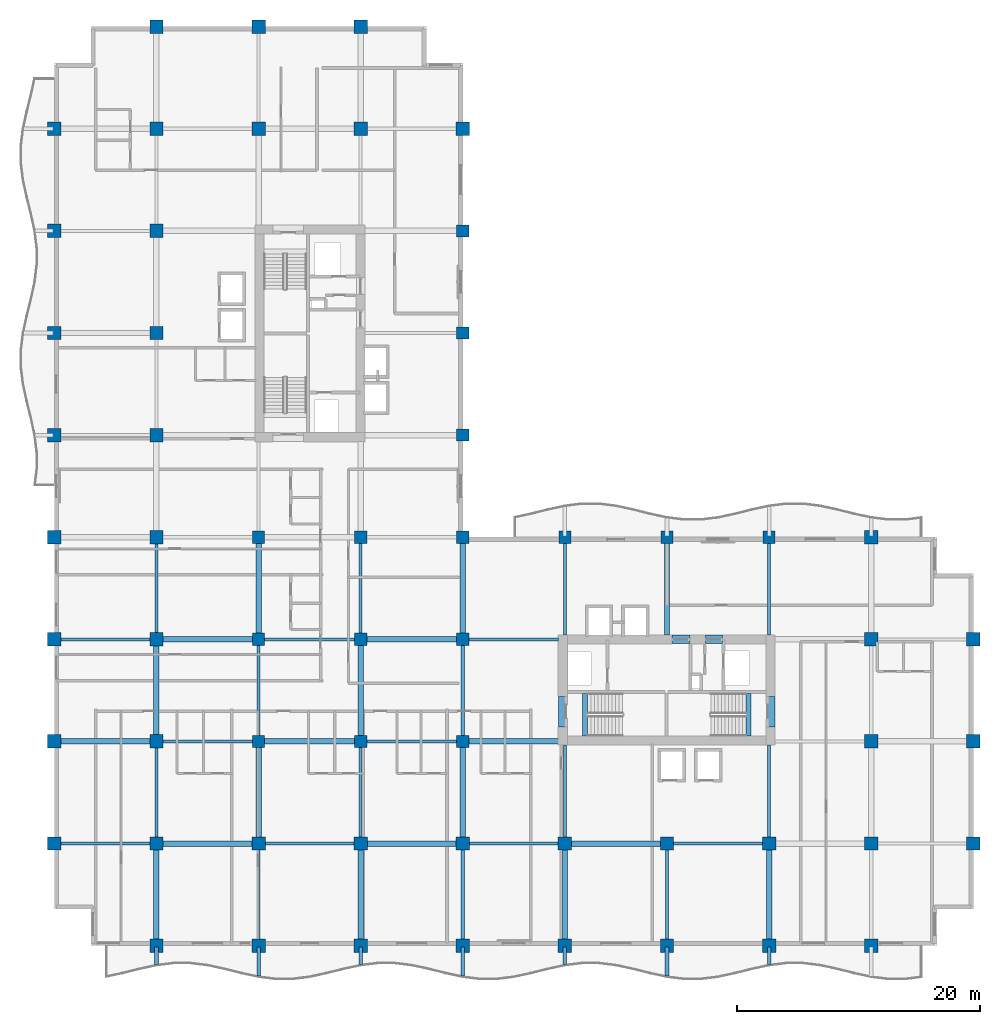
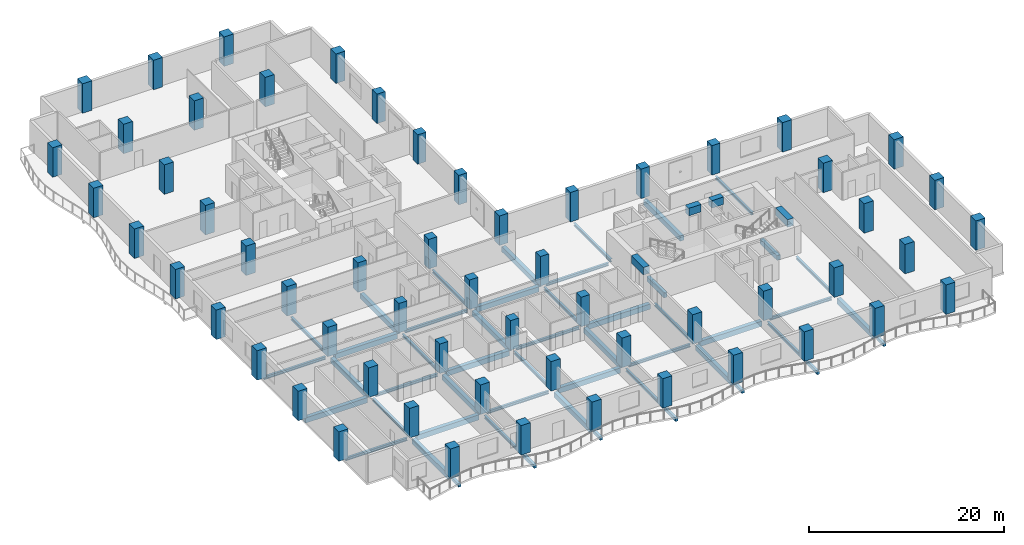
# One storey, part 1 of 16: 58 columns, 54 beams.
"""IFC4 building model written with IfcOpenShell, lengths in metres."""

from ifc_helpers import new_model, si_unit, direction, frame, origin, origin_2d, place, context, subcontext, project, spatial, rectangle, i_section, extrude, material, material_profile, profile_set, type_object, element, save


model = new_model("IFC4")

# Units and contexts
model_context = context("Model", 3, precision=1e-05, world=origin(), true_north=direction((0.0, 1.0)))
body_context = subcontext(model_context, "Body", "Model", "MODEL_VIEW")
ifc_project = project(units=[si_unit("LENGTHUNIT", "METRE"), si_unit("AREAUNIT", "SQUARE_METRE"), si_unit("VOLUMEUNIT", "CUBIC_METRE"), si_unit("PLANEANGLEUNIT", "RADIAN"), si_unit("MASSUNIT", "GRAM", prefix="KILO")], contexts=[model_context])

# Site, building, storey
site_placement = place(None, origin())
site = spatial("IfcSite", under=ifc_project, at=site_placement, CompositionType="ELEMENT")
building_placement = place(site_placement, origin())
building = spatial("IfcBuilding", under=site, at=building_placement, Name="Koriwani Terraces Tower", CompositionType="ELEMENT")
storey_placement = place(building_placement, frame((0.0, 0.0, 186.5)))
storey = spatial("IfcBuildingStorey", under=building, at=storey_placement, Name="L45", CompositionType="ELEMENT", Elevation=186.5)

# Columns
ifc_material_1 = material(Name="Concrete C50/60", Category="concrete")
ifc_material_profile_1 = material_profile(ifc_material_1, rectangle(XDim=1.0, YDim=1.0, at=origin_2d()), Name="Concrete C50/60", Category="LoadBearing")
ifc_profile_set_1 = profile_set([ifc_material_profile_1], Name="Concrete C50/60")
column_type_1 = type_object("IfcColumnType", Name="COL_RC_1000X1000", PredefinedType="COLUMN", material=ifc_profile_set_1)
for number, where, z_axis, x_axis, name in (
    (1, (16.800048828125, 16.800048828125, 0.0), (0.0, 0.0, 1.0), (1.0, 0.0, 0.0), "L45 Column 3/C"),
    (2, (16.800048828125, 25.199951171875, 0.0), (0.0, 0.0, 1.0), (1.0, 0.0, 0.0), "L45 Column 3/D"),
    (3, (16.800048828125, 33.60009765625, 0.0), (0.0, 0.0, 1.0), (1.0, 0.0, 0.0), "L45 Column 3/E"),
    (4, (25.199951171875, 16.800048828125, 0.0), (0.0, 0.0, 1.0), (1.0, 0.0, 0.0), "L45 Column 4/C"),
    (5, (25.199951171875, 25.199951171875, 0.0), (0.0, 0.0, 1.0), (1.0, 0.0, 0.0), "L45 Column 4/D"),
    (6, (25.199951171875, 33.60009765625, 0.0), (0.0, 0.0, 1.0), (1.0, 0.0, 0.0), "L45 Column 4/E"),
    (7, (33.60009765625, 16.800048828125, 0.0), (0.0, 0.0, 1.0), (1.0, 0.0, 0.0), "L45 Column 5/C"),
    (8, (33.60009765625, 25.199951171875, 0.0), (0.0, 0.0, 1.0), (1.0, 0.0, 0.0), "L45 Column 5/D"),
    (9, (33.60009765625, 33.60009765625, 0.0), (0.0, 0.0, 1.0), (1.0, 0.0, 0.0), "L45 Column 5/E"),
    (10, (33.60009765625, 42.0, 0.0), (0.0, 0.0, 1.0), (1.0, 0.0, 0.0), "L45 Column 5/F"),
    (11, (33.60009765625, 50.39990234375, 0.0), (0.0, 0.0, 1.0), (1.0, 0.0, 0.0), "L45 Column 5/G"),
    (12, (33.60009765625, 58.800048828125, 0.0), (0.0, 0.0, 1.0), (1.0, 0.0, 0.0), "L45 Column 5/H"),
    (13, (42.0, 33.60009765625, 0.0), (0.0, 0.0, 1.0), (1.0, 0.0, 0.0), "L45 Column 6/E"),
    (14, (50.39990234375, 33.60009765625, 0.0), (0.0, 0.0, 1.0), (1.0, 0.0, 0.0), "L45 Column 7/E"),
    (15, (58.800048828125, 33.60009765625, 0.0), (0.0, 0.0, 1.0), (1.0, 0.0, 0.0), "L45 Column 8/E"),
):
    element("IfcColumn", number, at=place(storey_placement, frame(where, z_axis=z_axis, x_axis=x_axis)), inside=storey, type_object=column_type_1, Name=name, PredefinedType="COLUMN", context=body_context, shape_type="SweptSolid", body=[
        extrude(rectangle(XDim=1.0, YDim=1.0, at=origin_2d()), origin(), (0.0, 0.0, 1.0), 3.699951171875),
    ])
ifc_material_profile_2 = material_profile(ifc_material_1, rectangle(XDim=1.10009765625, YDim=1.10009765625, at=origin_2d()), Name="Concrete C50/60", Category="LoadBearing")
ifc_profile_set_2 = profile_set([ifc_material_profile_2], Name="Concrete C50/60")
column_type_2 = type_object("IfcColumnType", Name="COL_RC_1100X1100", PredefinedType="COLUMN", material=ifc_profile_set_2)
for number, where, z_axis, x_axis, name in (
    (16, (0.0, 8.39990234375, 0.0), (0.0, 0.0, 1.0), (1.0, 0.0, 0.0), "L45 Column 1/B"),
    (17, (0.0, 16.800048828125, 0.0), (0.0, 0.0, 1.0), (1.0, 0.0, 0.0), "L45 Column 1/C"),
    (18, (0.0, 25.199951171875, 0.0), (0.0, 0.0, 1.0), (1.0, 0.0, 0.0), "L45 Column 1/D"),
    (19, (0.0, 33.60009765625, 0.0), (0.0, 0.0, 1.0), (1.0, 0.0, 0.0), "L45 Column 1/E"),
    (20, (0.0, 42.0, 0.0), (0.0, 0.0, 1.0), (1.0, 0.0, 0.0), "L45 Column 1/F"),
    (21, (0.0, 50.39990234375, 0.0), (0.0, 0.0, 1.0), (1.0, 0.0, 0.0), "L45 Column 1/G"),
    (22, (0.0, 58.800048828125, 0.0), (0.0, 0.0, 1.0), (1.0, 0.0, 0.0), "L45 Column 1/H"),
    (23, (0.0, 67.199951171875, 0.0), (0.0, 0.0, 1.0), (1.0, 0.0, 0.0), "L45 Column 1/I"),
    (24, (8.39990234375, 0.0, 0.0), (0.0, 0.0, 1.0), (1.0, 0.0, 0.0), "L45 Column 2/A"),
    (25, (8.39990234375, 8.39990234375, 0.0), (0.0, 0.0, 1.0), (1.0, 0.0, 0.0), "L45 Column 2/B"),
    (26, (8.39990234375, 16.800048828125, 0.0), (0.0, 0.0, 1.0), (1.0, 0.0, 0.0), "L45 Column 2/C"),
    (27, (8.39990234375, 25.199951171875, 0.0), (0.0, 0.0, 1.0), (1.0, 0.0, 0.0), "L45 Column 2/D"),
    (28, (8.39990234375, 33.60009765625, 0.0), (0.0, 0.0, 1.0), (1.0, 0.0, 0.0), "L45 Column 2/E"),
    (29, (8.39990234375, 42.0, 0.0), (0.0, 0.0, 1.0), (1.0, 0.0, 0.0), "L45 Column 2/F"),
    (30, (8.39990234375, 50.39990234375, 0.0), (0.0, 0.0, 1.0), (1.0, 0.0, 0.0), "L45 Column 2/G"),
    (31, (8.39990234375, 58.800048828125, 0.0), (0.0, 0.0, 1.0), (1.0, 0.0, 0.0), "L45 Column 2/H"),
    (32, (8.39990234375, 67.199951171875, 0.0), (0.0, 0.0, 1.0), (1.0, 0.0, 0.0), "L45 Column 2/I"),
    (33, (8.39990234375, 75.60009765625, 0.0), (0.0, 0.0, 1.0), (1.0, 0.0, 0.0), "L45 Column 2/J"),
    (34, (16.800048828125, 0.0, 0.0), (0.0, 0.0, 1.0), (1.0, 0.0, 0.0), "L45 Column 3/A"),
    (35, (16.800048828125, 8.39990234375, 0.0), (0.0, 0.0, 1.0), (1.0, 0.0, 0.0), "L45 Column 3/B"),
    (36, (16.800048828125, 67.199951171875, 0.0), (0.0, 0.0, 1.0), (1.0, 0.0, 0.0), "L45 Column 3/I"),
    (37, (16.800048828125, 75.60009765625, 0.0), (0.0, 0.0, 1.0), (1.0, 0.0, 0.0), "L45 Column 3/J"),
    (38, (25.199951171875, 0.0, 0.0), (0.0, 0.0, 1.0), (1.0, 0.0, 0.0), "L45 Column 4/A"),
    (39, (25.199951171875, 8.39990234375, 0.0), (0.0, 0.0, 1.0), (1.0, 0.0, 0.0), "L45 Column 4/B"),
    (40, (25.199951171875, 67.199951171875, 0.0), (0.0, 0.0, 1.0), (1.0, 0.0, 0.0), "L45 Column 4/I"),
    (41, (25.199951171875, 75.60009765625, 0.0), (0.0, 0.0, 1.0), (1.0, 0.0, 0.0), "L45 Column 4/J"),
    (42, (33.60009765625, 0.0, 0.0), (0.0, 0.0, 1.0), (1.0, 0.0, 0.0), "L45 Column 5/A"),
    (43, (33.60009765625, 8.39990234375, 0.0), (0.0, 0.0, 1.0), (1.0, 0.0, 0.0), "L45 Column 5/B"),
    (44, (33.60009765625, 67.199951171875, 0.0), (0.0, 0.0, 1.0), (1.0, 0.0, 0.0), "L45 Column 5/I"),
    (45, (42.0, 0.0, 0.0), (0.0, 0.0, 1.0), (1.0, 0.0, 0.0), "L45 Column 6/A"),
    (46, (42.0, 8.39990234375, 0.0), (0.0, 0.0, 1.0), (1.0, 0.0, 0.0), "L45 Column 6/B"),
    (47, (50.39990234375, 0.0, 0.0), (0.0, 0.0, 1.0), (1.0, 0.0, 0.0), "L45 Column 7/A"),
    (48, (50.39990234375, 8.39990234375, 0.0), (0.0, 0.0, 1.0), (1.0, 0.0, 0.0), "L45 Column 7/B"),
    (49, (58.800048828125, 0.0, 0.0), (0.0, 0.0, 1.0), (1.0, 0.0, 0.0), "L45 Column 8/A"),
    (50, (58.800048828125, 8.39990234375, 0.0), (0.0, 0.0, 1.0), (1.0, 0.0, 0.0), "L45 Column 8/B"),
    (51, (67.199951171875, 0.0, 0.0), (0.0, 0.0, 1.0), (1.0, 0.0, 0.0), "L45 Column 9/A"),
    (52, (67.199951171875, 8.39990234375, 0.0), (0.0, 0.0, 1.0), (1.0, 0.0, 0.0), "L45 Column 9/B"),
    (53, (67.199951171875, 16.800048828125, 0.0), (0.0, 0.0, 1.0), (1.0, 0.0, 0.0), "L45 Column 9/C"),
    (54, (67.199951171875, 25.199951171875, 0.0), (0.0, 0.0, 1.0), (1.0, 0.0, 0.0), "L45 Column 9/D"),
    (55, (67.199951171875, 33.60009765625, 0.0), (0.0, 0.0, 1.0), (1.0, 0.0, 0.0), "L45 Column 9/E"),
    (56, (75.60009765625, 8.39990234375, 0.0), (0.0, 0.0, 1.0), (1.0, 0.0, 0.0), "L45 Column 10/B"),
    (57, (75.60009765625, 16.800048828125, 0.0), (0.0, 0.0, 1.0), (1.0, 0.0, 0.0), "L45 Column 10/C"),
    (58, (75.60009765625, 25.199951171875, 0.0), (0.0, 0.0, 1.0), (1.0, 0.0, 0.0), "L45 Column 10/D"),
):
    element("IfcColumn", number, at=place(storey_placement, frame(where, z_axis=z_axis, x_axis=x_axis)), inside=storey, type_object=column_type_2, Name=name, PredefinedType="COLUMN", context=body_context, shape_type="SweptSolid", body=[
        extrude(rectangle(XDim=1.10009765625, YDim=1.10009765625, at=origin_2d()), origin(), (0.0, 0.0, 1.0), 3.699951171875),
    ])

# Beams
ifc_material_2 = material(Name="Concrete C40/50", Category="concrete")
ifc_material_profile_3 = material_profile(ifc_material_2, rectangle(XDim=0.300048828125, YDim=0.39990234375, at=origin_2d()), Name="Concrete C40/50", Category="LoadBearing")
ifc_profile_set_3 = profile_set([ifc_material_profile_3], Name="Concrete C40/50")
beam_type_1 = type_object("IfcBeamType", Name="BEAM_RC_BALCONY_RIB_300X400", PredefinedType="JOIST", material=ifc_profile_set_3)
beam_1_placement = place(storey_placement, frame((8.39990234375, -1.547607421875, -0.429931640625), z_axis=(0.0, 1.0, 0.0), x_axis=(-1.0, 0.0, 0.0)))
element("IfcBeam", 59, at=beam_1_placement, inside=storey, type_object=beam_type_1, Name="L45 Balcony Bracket Rib S-1", PredefinedType="JOIST", context=body_context, shape_type="SweptSolid", body=[
    extrude(rectangle(XDim=0.300048828125, YDim=0.39990234375, at=origin_2d()), origin(), (0.0, 0.0, 1.0), 1.447509765625),
])
beam_2_placement = place(storey_placement, frame((16.800048828125, -2.502197265625, -0.429931640625), z_axis=(0.0, 1.0, 0.0), x_axis=(-1.0, 0.0, 0.0)))
element("IfcBeam", 60, at=beam_2_placement, inside=storey, type_object=beam_type_1, Name="L45 Balcony Bracket Rib S-2", PredefinedType="JOIST", context=body_context, shape_type="SweptSolid", body=[
    extrude(rectangle(XDim=0.300048828125, YDim=0.39990234375, at=origin_2d()), origin(), (0.0, 0.0, 1.0), 2.402099609375),
])
beam_3_placement = place(storey_placement, frame((25.199951171875, -1.547607421875, -0.429931640625), z_axis=(0.0, 1.0, 0.0), x_axis=(-1.0, 0.0, 0.0)))
element("IfcBeam", 61, at=beam_3_placement, inside=storey, type_object=beam_type_1, Name="L45 Balcony Bracket Rib S-3", PredefinedType="JOIST", context=body_context, shape_type="SweptSolid", body=[
    extrude(rectangle(XDim=0.300048828125, YDim=0.39990234375, at=origin_2d()), origin(), (0.0, 0.0, 1.0), 1.447509765625),
])
beam_4_placement = place(storey_placement, frame((33.60009765625, -2.502197265625, -0.429931640625), z_axis=(0.0, 1.0, 0.0), x_axis=(-1.0, 0.0, 0.0)))
element("IfcBeam", 62, at=beam_4_placement, inside=storey, type_object=beam_type_1, Name="L45 Balcony Bracket Rib S-4", PredefinedType="JOIST", context=body_context, shape_type="SweptSolid", body=[
    extrude(rectangle(XDim=0.300048828125, YDim=0.39990234375, at=origin_2d()), origin(), (0.0, 0.0, 1.0), 2.402099609375),
])
beam_5_placement = place(storey_placement, frame((42.0, -1.547607421875, -0.429931640625), z_axis=(0.0, 1.0, 0.0), x_axis=(-1.0, 0.0, 0.0)))
element("IfcBeam", 63, at=beam_5_placement, inside=storey, type_object=beam_type_1, Name="L45 Balcony Bracket Rib S-5", PredefinedType="JOIST", context=body_context, shape_type="SweptSolid", body=[
    extrude(rectangle(XDim=0.300048828125, YDim=0.39990234375, at=origin_2d()), origin(), (0.0, 0.0, 1.0), 1.447509765625),
])
beam_6_placement = place(storey_placement, frame((50.39990234375, -2.502197265625, -0.429931640625), z_axis=(0.0, 1.0, 0.0), x_axis=(-1.0, 0.0, 0.0)))
element("IfcBeam", 64, at=beam_6_placement, inside=storey, type_object=beam_type_1, Name="L45 Balcony Bracket Rib S-6", PredefinedType="JOIST", context=body_context, shape_type="SweptSolid", body=[
    extrude(rectangle(XDim=0.300048828125, YDim=0.39990234375, at=origin_2d()), origin(), (0.0, 0.0, 1.0), 2.402099609375),
])
beam_7_placement = place(storey_placement, frame((58.800048828125, -1.547607421875, -0.429931640625), z_axis=(0.0, 1.0, 0.0), x_axis=(-1.0, 0.0, 0.0)))
element("IfcBeam", 65, at=beam_7_placement, inside=storey, type_object=beam_type_1, Name="L45 Balcony Bracket Rib S-7", PredefinedType="JOIST", context=body_context, shape_type="SweptSolid", body=[
    extrude(rectangle(XDim=0.300048828125, YDim=0.39990234375, at=origin_2d()), origin(), (0.0, 0.0, 1.0), 1.447509765625),
])
ifc_material_3 = material(Name="Concrete C60/75", Category="concrete")
ifc_material_profile_4 = material_profile(ifc_material_3, rectangle(XDim=0.699951171875, YDim=0.949951171875, at=origin_2d()), Name="Concrete C60/75", Category="LoadBearing")
ifc_profile_set_4 = profile_set([ifc_material_profile_4], Name="Concrete C60/75")
beam_type_2 = type_object("IfcBeamType", Name="BEAM_RC_COUPLING_700X950", PredefinedType="LINTEL", material=ifc_profile_set_4)
beam_8_placement = place(storey_placement, frame((50.800048828125, 25.199951171875, 2.9951171875), z_axis=(1.0, 0.0, 0.0), x_axis=(0.0, 1.0, 0.0)))
element("IfcBeam", 66, at=beam_8_placement, inside=storey, type_object=beam_type_2, Name="L45 Core Coupling Lintel Beam EN1", PredefinedType="LINTEL", context=body_context, shape_type="SweptSolid", body=[
    extrude(rectangle(XDim=0.699951171875, YDim=0.949951171875, at=origin_2d()), origin(), (0.0, 0.0, 1.0), 1.47998046875),
])
beam_9_placement = place(storey_placement, frame((53.550048828125, 25.199951171875, 2.9951171875), z_axis=(1.0, 0.0, 0.0), x_axis=(0.0, 1.0, 0.0)))
element("IfcBeam", 67, at=beam_9_placement, inside=storey, type_object=beam_type_2, Name="L45 Core Coupling Lintel Beam EN2", PredefinedType="LINTEL", context=body_context, shape_type="SweptSolid", body=[
    extrude(rectangle(XDim=0.699951171875, YDim=0.949951171875, at=origin_2d()), origin(), (0.0, 0.0, 1.0), 1.39990234375),
])
for number, where, z_axis, x_axis, name in (
    (68, (41.824951171875, 18.0, 2.9951171875), (0.0, 1.0, 0.0), (-1.0, 0.0, 0.0), "L45 Core Coupling Lintel Beam EW"),
    (69, (58.925048828125, 18.0, 2.9951171875), (0.0, 1.0, 0.0), (-1.0, 0.0, 0.0), "L45 Core Coupling Lintel Beam EE"),
):
    element("IfcBeam", number, at=place(storey_placement, frame(where, z_axis=z_axis, x_axis=x_axis)), inside=storey, type_object=beam_type_2, Name=name, PredefinedType="LINTEL", context=body_context, shape_type="SweptSolid", body=[
        extrude(rectangle(XDim=0.699951171875, YDim=0.949951171875, at=origin_2d()), origin(), (0.0, 0.0, 1.0), 2.5),
    ])
ifc_material_profile_5 = material_profile(ifc_material_2, rectangle(XDim=0.39990234375, YDim=0.60009765625, at=origin_2d()), Name="Concrete C40/50", Category="LoadBearing")
ifc_profile_set_5 = profile_set([ifc_material_profile_5], Name="Concrete C40/50")
beam_type_3 = type_object("IfcBeamType", Name="BEAM_RC_GRID_400X600", PredefinedType="BEAM", material=ifc_profile_set_5)
for number, where, z_axis, x_axis, name in (
    (70, (43.655029296875, 17.25, -0.300048828125), (0.0, 1.0, 0.0), (-1.0, 0.0, 0.0), "L45 Stairwell Header Trimmer Beam ST-E1"),
    (71, (57.094970703125, 17.25, -0.300048828125), (0.0, 1.0, 0.0), (-1.0, 0.0, 0.0), "L45 Stairwell Header Trimmer Beam ST-E2"),
):
    element("IfcBeam", number, at=place(storey_placement, frame(where, z_axis=z_axis, x_axis=x_axis)), inside=storey, type_object=beam_type_3, Name=name, PredefinedType="BEAM", context=body_context, shape_type="SweptSolid", body=[
        extrude(rectangle(XDim=0.39990234375, YDim=0.60009765625, at=origin_2d()), origin(), (0.0, 0.0, 1.0), 3.5),
    ])
ifc_material_profile_6 = material_profile(ifc_material_1, rectangle(XDim=0.449951171875, YDim=0.64990234375, at=origin_2d()), Name="Concrete C50/60", Category="LoadBearing")
ifc_profile_set_6 = profile_set([ifc_material_profile_6], Name="Concrete C50/60")
beam_type_4 = type_object("IfcBeamType", Name="BEAM_RC_GRID_450X650", PredefinedType="BEAM", material=ifc_profile_set_6)
for number, where, z_axis, x_axis, name in (
    (72, (8.929931640625, 8.39990234375, -0.554931640625), (1.0, 0.0, 0.0), (0.0, 1.0, 0.0), "L45 Grid Beam B (8.4-16.8m)"),
    (73, (25.72998046875, 8.39990234375, -0.554931640625), (1.0, 0.0, 0.0), (0.0, 1.0, 0.0), "L45 Grid Beam B (25.2-33.6m)"),
    (74, (42.530029296875, 8.39990234375, -0.554931640625), (1.0, 0.0, 0.0), (0.0, 1.0, 0.0), "L45 Grid Beam B (42.0-50.4m)"),
    (75, (0.530029296875, 16.800048828125, -0.554931640625), (1.0, 0.0, 0.0), (0.0, 1.0, 0.0), "L45 Grid Beam C (0.0-8.4m)"),
):
    element("IfcBeam", number, at=place(storey_placement, frame(where, z_axis=z_axis, x_axis=x_axis)), inside=storey, type_object=beam_type_4, Name=name, PredefinedType="BEAM", context=body_context, shape_type="SweptSolid", body=[
        extrude(rectangle(XDim=0.449951171875, YDim=0.64990234375, at=origin_2d()), origin(), (0.0, 0.0, 1.0), 7.340087890625),
    ])
beam_10_placement = place(storey_placement, frame((17.280029296875, 16.800048828125, -0.554931640625), z_axis=(1.0, 0.0, 0.0), x_axis=(0.0, 1.0, 0.0)))
element("IfcBeam", 76, at=beam_10_placement, inside=storey, type_object=beam_type_4, Name="L45 Grid Beam C (16.8-25.2m)", PredefinedType="BEAM", context=body_context, shape_type="SweptSolid", body=[
    extrude(rectangle(XDim=0.449951171875, YDim=0.64990234375, at=origin_2d()), origin(), (0.0, 0.0, 1.0), 7.43994140625),
])
beam_11_placement = place(storey_placement, frame((34.080078125, 16.800048828125, -0.554931640625), z_axis=(1.0, 0.0, 0.0), x_axis=(0.0, 1.0, 0.0)))
element("IfcBeam", 77, at=beam_11_placement, inside=storey, type_object=beam_type_4, Name="L45 Grid Beam C (33.6-42.0m)", PredefinedType="BEAM", context=body_context, shape_type="SweptSolid", body=[
    extrude(rectangle(XDim=0.449951171875, YDim=0.64990234375, at=origin_2d()), origin(), (0.0, 0.0, 1.0), 7.389892578125),
])
beam_12_placement = place(storey_placement, frame((8.929931640625, 25.199951171875, -0.554931640625), z_axis=(1.0, 0.0, 0.0), x_axis=(0.0, 1.0, 0.0)))
element("IfcBeam", 78, at=beam_12_placement, inside=storey, type_object=beam_type_4, Name="L45 Grid Beam D (8.4-16.8m)", PredefinedType="BEAM", context=body_context, shape_type="SweptSolid", body=[
    extrude(rectangle(XDim=0.449951171875, YDim=0.64990234375, at=origin_2d()), origin(), (0.0, 0.0, 1.0), 7.39013671875),
])
beam_13_placement = place(storey_placement, frame((25.679931640625, 25.199951171875, -0.554931640625), z_axis=(1.0, 0.0, 0.0), x_axis=(0.0, 1.0, 0.0)))
element("IfcBeam", 79, at=beam_13_placement, inside=storey, type_object=beam_type_4, Name="L45 Grid Beam D (25.2-33.6m)", PredefinedType="BEAM", context=body_context, shape_type="SweptSolid", body=[
    extrude(rectangle(XDim=0.449951171875, YDim=0.64990234375, at=origin_2d()), origin(), (0.0, 0.0, 1.0), 7.440185546875),
])
beam_14_placement = place(storey_placement, frame((8.39990234375, 0.530029296875, -0.554931640625), z_axis=(0.0, 1.0, 0.0), x_axis=(-1.0, 0.0, 0.0)))
element("IfcBeam", 80, at=beam_14_placement, inside=storey, type_object=beam_type_4, Name="L45 Grid Beam 2 (0.0-8.4m)", PredefinedType="BEAM", context=body_context, shape_type="SweptSolid", body=[
    extrude(rectangle(XDim=0.449951171875, YDim=0.64990234375, at=origin_2d()), origin(), (0.0, 0.0, 1.0), 7.340087890625),
])
beam_15_placement = place(storey_placement, frame((8.39990234375, 17.330078125, -0.554931640625), z_axis=(0.0, 1.0, 0.0), x_axis=(-1.0, 0.0, 0.0)))
element("IfcBeam", 81, at=beam_15_placement, inside=storey, type_object=beam_type_4, Name="L45 Grid Beam 2 (16.8-25.2m)", PredefinedType="BEAM", context=body_context, shape_type="SweptSolid", body=[
    extrude(rectangle(XDim=0.449951171875, YDim=0.64990234375, at=origin_2d()), origin(), (0.0, 0.0, 1.0), 7.33984375),
])
beam_16_placement = place(storey_placement, frame((16.800048828125, 8.929931640625, -0.554931640625), z_axis=(0.0, 1.0, 0.0), x_axis=(-1.0, 0.0, 0.0)))
element("IfcBeam", 82, at=beam_16_placement, inside=storey, type_object=beam_type_4, Name="L45 Grid Beam 3 (8.4-16.8m)", PredefinedType="BEAM", context=body_context, shape_type="SweptSolid", body=[
    extrude(rectangle(XDim=0.449951171875, YDim=0.64990234375, at=origin_2d()), origin(), (0.0, 0.0, 1.0), 7.39013671875),
])
beam_17_placement = place(storey_placement, frame((16.800048828125, 25.679931640625, -0.554931640625), z_axis=(0.0, 1.0, 0.0), x_axis=(-1.0, 0.0, 0.0)))
element("IfcBeam", 83, at=beam_17_placement, inside=storey, type_object=beam_type_4, Name="L45 Grid Beam 3 (25.2-33.6m)", PredefinedType="BEAM", context=body_context, shape_type="SweptSolid", body=[
    extrude(rectangle(XDim=0.449951171875, YDim=0.64990234375, at=origin_2d()), origin(), (0.0, 0.0, 1.0), 7.440185546875),
])
beam_18_placement = place(storey_placement, frame((25.199951171875, 0.530029296875, -0.554931640625), z_axis=(0.0, 1.0, 0.0), x_axis=(-1.0, 0.0, 0.0)))
element("IfcBeam", 84, at=beam_18_placement, inside=storey, type_object=beam_type_4, Name="L45 Grid Beam 4 (0.0-8.4m)", PredefinedType="BEAM", context=body_context, shape_type="SweptSolid", body=[
    extrude(rectangle(XDim=0.449951171875, YDim=0.64990234375, at=origin_2d()), origin(), (0.0, 0.0, 1.0), 7.340087890625),
])
beam_19_placement = place(storey_placement, frame((25.199951171875, 17.280029296875, -0.554931640625), z_axis=(0.0, 1.0, 0.0), x_axis=(-1.0, 0.0, 0.0)))
element("IfcBeam", 85, at=beam_19_placement, inside=storey, type_object=beam_type_4, Name="L45 Grid Beam 4 (16.8-25.2m)", PredefinedType="BEAM", context=body_context, shape_type="SweptSolid", body=[
    extrude(rectangle(XDim=0.449951171875, YDim=0.64990234375, at=origin_2d()), origin(), (0.0, 0.0, 1.0), 7.43994140625),
])
beam_20_placement = place(storey_placement, frame((33.60009765625, 8.929931640625, -0.554931640625), z_axis=(0.0, 1.0, 0.0), x_axis=(-1.0, 0.0, 0.0)))
element("IfcBeam", 86, at=beam_20_placement, inside=storey, type_object=beam_type_4, Name="L45 Grid Beam 5 (8.4-16.8m)", PredefinedType="BEAM", context=body_context, shape_type="SweptSolid", body=[
    extrude(rectangle(XDim=0.449951171875, YDim=0.64990234375, at=origin_2d()), origin(), (0.0, 0.0, 1.0), 7.39013671875),
])
beam_21_placement = place(storey_placement, frame((33.60009765625, 25.679931640625, -0.554931640625), z_axis=(0.0, 1.0, 0.0), x_axis=(-1.0, 0.0, 0.0)))
element("IfcBeam", 87, at=beam_21_placement, inside=storey, type_object=beam_type_4, Name="L45 Grid Beam 5 (25.2-33.6m)", PredefinedType="BEAM", context=body_context, shape_type="SweptSolid", body=[
    extrude(rectangle(XDim=0.449951171875, YDim=0.64990234375, at=origin_2d()), origin(), (0.0, 0.0, 1.0), 7.440185546875),
])
beam_22_placement = place(storey_placement, frame((42.0, 0.530029296875, -0.554931640625), z_axis=(0.0, 1.0, 0.0), x_axis=(-1.0, 0.0, 0.0)))
element("IfcBeam", 88, at=beam_22_placement, inside=storey, type_object=beam_type_4, Name="L45 Grid Beam 6 (0.0-8.4m)", PredefinedType="BEAM", context=body_context, shape_type="SweptSolid", body=[
    extrude(rectangle(XDim=0.449951171875, YDim=0.64990234375, at=origin_2d()), origin(), (0.0, 0.0, 1.0), 7.340087890625),
])
beam_23_placement = place(storey_placement, frame((50.39990234375, 25.554931640625, -0.554931640625), z_axis=(0.0, 1.0, 0.0), x_axis=(-1.0, 0.0, 0.0)))
element("IfcBeam", 89, at=beam_23_placement, inside=storey, type_object=beam_type_4, Name="L45 Grid Beam 7 (25.2-33.6m)", PredefinedType="BEAM", context=body_context, shape_type="SweptSolid", body=[
    extrude(rectangle(XDim=0.449951171875, YDim=0.64990234375, at=origin_2d()), origin(), (0.0, 0.0, 1.0), 7.565185546875),
])
beam_24_placement = place(storey_placement, frame((58.800048828125, 0.530029296875, -0.554931640625), z_axis=(0.0, 1.0, 0.0), x_axis=(-1.0, 0.0, 0.0)))
element("IfcBeam", 90, at=beam_24_placement, inside=storey, type_object=beam_type_4, Name="L45 Grid Beam 8 (0.0-8.4m)", PredefinedType="BEAM", context=body_context, shape_type="SweptSolid", body=[
    extrude(rectangle(XDim=0.449951171875, YDim=0.64990234375, at=origin_2d()), origin(), (0.0, 0.0, 1.0), 7.340087890625),
])
ifc_material_4 = material(Name="Steel ASTM A572 Grade 50", Category="steel")
ifc_material_profile_7 = material_profile(ifc_material_4, i_section(OverallWidth=0.257080078125, OverallDepth=0.363037109375, WebThickness=0.012939453125, FlangeThickness=0.021728515625, at=origin_2d()), Name="Steel ASTM A572 Grade 50", Category="LoadBearing")
ifc_profile_set_7 = profile_set([ifc_material_profile_7], Name="Steel ASTM A572 Grade 50")
beam_type_5 = type_object("IfcBeamType", Name="STEEL_BEAM_W360X122", PredefinedType="JOIST", material=ifc_profile_set_7)
beam_25_placement = place(storey_placement, frame((0.530029296875, 8.39990234375, -0.41162109375), z_axis=(1.0, 0.0, 0.0), x_axis=(0.0, 1.0, 0.0)))
element("IfcBeam", 91, at=beam_25_placement, inside=storey, type_object=beam_type_5, Name="L45 Grid Beam B (0.0-8.4m)", PredefinedType="JOIST", context=body_context, shape_type="SweptSolid", body=[
    extrude(i_section(OverallWidth=0.257080078125, OverallDepth=0.363037109375, WebThickness=0.012939453125, FlangeThickness=0.021728515625, at=origin_2d()), origin(), (0.0, 0.0, 1.0), 7.340087890625),
])
beam_26_placement = place(storey_placement, frame((17.330078125, 8.39990234375, -0.41162109375), z_axis=(1.0, 0.0, 0.0), x_axis=(0.0, 1.0, 0.0)))
element("IfcBeam", 92, at=beam_26_placement, inside=storey, type_object=beam_type_5, Name="L45 Grid Beam B (16.8-25.2m)", PredefinedType="JOIST", context=body_context, shape_type="SweptSolid", body=[
    extrude(i_section(OverallWidth=0.257080078125, OverallDepth=0.363037109375, WebThickness=0.012939453125, FlangeThickness=0.021728515625, at=origin_2d()), origin(), (0.0, 0.0, 1.0), 7.33984375),
])
for number, where, z_axis, x_axis, name in (
    (93, (34.1298828125, 8.39990234375, -0.41162109375), (1.0, 0.0, 0.0), (0.0, 1.0, 0.0), "L45 Grid Beam B (33.6-42.0m)"),
    (94, (50.929931640625, 8.39990234375, -0.41162109375), (1.0, 0.0, 0.0), (0.0, 1.0, 0.0), "L45 Grid Beam B (50.4-58.8m)"),
):
    element("IfcBeam", number, at=place(storey_placement, frame(where, z_axis=z_axis, x_axis=x_axis)), inside=storey, type_object=beam_type_5, Name=name, PredefinedType="JOIST", context=body_context, shape_type="SweptSolid", body=[
        extrude(i_section(OverallWidth=0.257080078125, OverallDepth=0.363037109375, WebThickness=0.012939453125, FlangeThickness=0.021728515625, at=origin_2d()), origin(), (0.0, 0.0, 1.0), 7.340087890625),
    ])
beam_27_placement = place(storey_placement, frame((8.929931640625, 16.800048828125, -0.41162109375), z_axis=(1.0, 0.0, 0.0), x_axis=(0.0, 1.0, 0.0)))
element("IfcBeam", 95, at=beam_27_placement, inside=storey, type_object=beam_type_5, Name="L45 Grid Beam C (8.4-16.8m)", PredefinedType="JOIST", context=body_context, shape_type="SweptSolid", body=[
    extrude(i_section(OverallWidth=0.257080078125, OverallDepth=0.363037109375, WebThickness=0.012939453125, FlangeThickness=0.021728515625, at=origin_2d()), origin(), (0.0, 0.0, 1.0), 7.39013671875),
])
beam_28_placement = place(storey_placement, frame((25.679931640625, 16.800048828125, -0.41162109375), z_axis=(1.0, 0.0, 0.0), x_axis=(0.0, 1.0, 0.0)))
element("IfcBeam", 96, at=beam_28_placement, inside=storey, type_object=beam_type_5, Name="L45 Grid Beam C (25.2-33.6m)", PredefinedType="JOIST", context=body_context, shape_type="SweptSolid", body=[
    extrude(i_section(OverallWidth=0.257080078125, OverallDepth=0.363037109375, WebThickness=0.012939453125, FlangeThickness=0.021728515625, at=origin_2d()), origin(), (0.0, 0.0, 1.0), 7.440185546875),
])
beam_29_placement = place(storey_placement, frame((0.530029296875, 25.199951171875, -0.41162109375), z_axis=(1.0, 0.0, 0.0), x_axis=(0.0, 1.0, 0.0)))
element("IfcBeam", 97, at=beam_29_placement, inside=storey, type_object=beam_type_5, Name="L45 Grid Beam D (0.0-8.4m)", PredefinedType="JOIST", context=body_context, shape_type="SweptSolid", body=[
    extrude(i_section(OverallWidth=0.257080078125, OverallDepth=0.363037109375, WebThickness=0.012939453125, FlangeThickness=0.021728515625, at=origin_2d()), origin(), (0.0, 0.0, 1.0), 7.340087890625),
])
beam_30_placement = place(storey_placement, frame((17.280029296875, 25.199951171875, -0.41162109375), z_axis=(1.0, 0.0, 0.0), x_axis=(0.0, 1.0, 0.0)))
element("IfcBeam", 98, at=beam_30_placement, inside=storey, type_object=beam_type_5, Name="L45 Grid Beam D (16.8-25.2m)", PredefinedType="JOIST", context=body_context, shape_type="SweptSolid", body=[
    extrude(i_section(OverallWidth=0.257080078125, OverallDepth=0.363037109375, WebThickness=0.012939453125, FlangeThickness=0.021728515625, at=origin_2d()), origin(), (0.0, 0.0, 1.0), 7.43994140625),
])
beam_31_placement = place(storey_placement, frame((34.080078125, 25.199951171875, -0.41162109375), z_axis=(1.0, 0.0, 0.0), x_axis=(0.0, 1.0, 0.0)))
element("IfcBeam", 99, at=beam_31_placement, inside=storey, type_object=beam_type_5, Name="L45 Grid Beam D (33.6-42.0m)", PredefinedType="JOIST", context=body_context, shape_type="SweptSolid", body=[
    extrude(i_section(OverallWidth=0.257080078125, OverallDepth=0.363037109375, WebThickness=0.012939453125, FlangeThickness=0.021728515625, at=origin_2d()), origin(), (0.0, 0.0, 1.0), 7.389892578125),
])
for number, where, z_axis, x_axis, name in (
    (100, (8.39990234375, 8.929931640625, -0.41162109375), (0.0, 1.0, 0.0), (-1.0, 0.0, 0.0), "L45 Grid Beam 2 (8.4-16.8m)"),
    (101, (8.39990234375, 25.72998046875, -0.41162109375), (0.0, 1.0, 0.0), (-1.0, 0.0, 0.0), "L45 Grid Beam 2 (25.2-33.6m)"),
    (102, (16.800048828125, 0.530029296875, -0.41162109375), (0.0, 1.0, 0.0), (-1.0, 0.0, 0.0), "L45 Grid Beam 3 (0.0-8.4m)"),
):
    element("IfcBeam", number, at=place(storey_placement, frame(where, z_axis=z_axis, x_axis=x_axis)), inside=storey, type_object=beam_type_5, Name=name, PredefinedType="JOIST", context=body_context, shape_type="SweptSolid", body=[
        extrude(i_section(OverallWidth=0.257080078125, OverallDepth=0.363037109375, WebThickness=0.012939453125, FlangeThickness=0.021728515625, at=origin_2d()), origin(), (0.0, 0.0, 1.0), 7.340087890625),
    ])
beam_32_placement = place(storey_placement, frame((16.800048828125, 17.280029296875, -0.41162109375), z_axis=(0.0, 1.0, 0.0), x_axis=(-1.0, 0.0, 0.0)))
element("IfcBeam", 103, at=beam_32_placement, inside=storey, type_object=beam_type_5, Name="L45 Grid Beam 3 (16.8-25.2m)", PredefinedType="JOIST", context=body_context, shape_type="SweptSolid", body=[
    extrude(i_section(OverallWidth=0.257080078125, OverallDepth=0.363037109375, WebThickness=0.012939453125, FlangeThickness=0.021728515625, at=origin_2d()), origin(), (0.0, 0.0, 1.0), 7.43994140625),
])
beam_33_placement = place(storey_placement, frame((25.199951171875, 8.929931640625, -0.41162109375), z_axis=(0.0, 1.0, 0.0), x_axis=(-1.0, 0.0, 0.0)))
element("IfcBeam", 104, at=beam_33_placement, inside=storey, type_object=beam_type_5, Name="L45 Grid Beam 4 (8.4-16.8m)", PredefinedType="JOIST", context=body_context, shape_type="SweptSolid", body=[
    extrude(i_section(OverallWidth=0.257080078125, OverallDepth=0.363037109375, WebThickness=0.012939453125, FlangeThickness=0.021728515625, at=origin_2d()), origin(), (0.0, 0.0, 1.0), 7.39013671875),
])
beam_34_placement = place(storey_placement, frame((25.199951171875, 25.679931640625, -0.41162109375), z_axis=(0.0, 1.0, 0.0), x_axis=(-1.0, 0.0, 0.0)))
element("IfcBeam", 105, at=beam_34_placement, inside=storey, type_object=beam_type_5, Name="L45 Grid Beam 4 (25.2-33.6m)", PredefinedType="JOIST", context=body_context, shape_type="SweptSolid", body=[
    extrude(i_section(OverallWidth=0.257080078125, OverallDepth=0.363037109375, WebThickness=0.012939453125, FlangeThickness=0.021728515625, at=origin_2d()), origin(), (0.0, 0.0, 1.0), 7.440185546875),
])
beam_35_placement = place(storey_placement, frame((33.60009765625, 0.530029296875, -0.41162109375), z_axis=(0.0, 1.0, 0.0), x_axis=(-1.0, 0.0, 0.0)))
element("IfcBeam", 106, at=beam_35_placement, inside=storey, type_object=beam_type_5, Name="L45 Grid Beam 5 (0.0-8.4m)", PredefinedType="JOIST", context=body_context, shape_type="SweptSolid", body=[
    extrude(i_section(OverallWidth=0.257080078125, OverallDepth=0.363037109375, WebThickness=0.012939453125, FlangeThickness=0.021728515625, at=origin_2d()), origin(), (0.0, 0.0, 1.0), 7.340087890625),
])
beam_36_placement = place(storey_placement, frame((33.60009765625, 17.280029296875, -0.41162109375), z_axis=(0.0, 1.0, 0.0), x_axis=(-1.0, 0.0, 0.0)))
element("IfcBeam", 107, at=beam_36_placement, inside=storey, type_object=beam_type_5, Name="L45 Grid Beam 5 (16.8-25.2m)", PredefinedType="JOIST", context=body_context, shape_type="SweptSolid", body=[
    extrude(i_section(OverallWidth=0.257080078125, OverallDepth=0.363037109375, WebThickness=0.012939453125, FlangeThickness=0.021728515625, at=origin_2d()), origin(), (0.0, 0.0, 1.0), 7.43994140625),
])
beam_37_placement = place(storey_placement, frame((42.0, 8.929931640625, -0.41162109375), z_axis=(0.0, 1.0, 0.0), x_axis=(-1.0, 0.0, 0.0)))
element("IfcBeam", 108, at=beam_37_placement, inside=storey, type_object=beam_type_5, Name="L45 Grid Beam 6 (8.4-16.8m)", PredefinedType="JOIST", context=body_context, shape_type="SweptSolid", body=[
    extrude(i_section(OverallWidth=0.257080078125, OverallDepth=0.363037109375, WebThickness=0.012939453125, FlangeThickness=0.021728515625, at=origin_2d()), origin(), (0.0, 0.0, 1.0), 7.590087890625),
])
beam_38_placement = place(storey_placement, frame((42.0, 25.554931640625, -0.41162109375), z_axis=(0.0, 1.0, 0.0), x_axis=(-1.0, 0.0, 0.0)))
element("IfcBeam", 109, at=beam_38_placement, inside=storey, type_object=beam_type_5, Name="L45 Grid Beam 6 (25.2-33.6m)", PredefinedType="JOIST", context=body_context, shape_type="SweptSolid", body=[
    extrude(i_section(OverallWidth=0.257080078125, OverallDepth=0.363037109375, WebThickness=0.012939453125, FlangeThickness=0.021728515625, at=origin_2d()), origin(), (0.0, 0.0, 1.0), 7.565185546875),
])
beam_39_placement = place(storey_placement, frame((50.39990234375, 0.530029296875, -0.41162109375), z_axis=(0.0, 1.0, 0.0), x_axis=(-1.0, 0.0, 0.0)))
element("IfcBeam", 110, at=beam_39_placement, inside=storey, type_object=beam_type_5, Name="L45 Grid Beam 7 (0.0-8.4m)", PredefinedType="JOIST", context=body_context, shape_type="SweptSolid", body=[
    extrude(i_section(OverallWidth=0.257080078125, OverallDepth=0.363037109375, WebThickness=0.012939453125, FlangeThickness=0.021728515625, at=origin_2d()), origin(), (0.0, 0.0, 1.0), 7.340087890625),
])
beam_40_placement = place(storey_placement, frame((58.800048828125, 8.929931640625, -0.41162109375), z_axis=(0.0, 1.0, 0.0), x_axis=(-1.0, 0.0, 0.0)))
element("IfcBeam", 111, at=beam_40_placement, inside=storey, type_object=beam_type_5, Name="L45 Grid Beam 8 (8.4-16.8m)", PredefinedType="JOIST", context=body_context, shape_type="SweptSolid", body=[
    extrude(i_section(OverallWidth=0.257080078125, OverallDepth=0.363037109375, WebThickness=0.012939453125, FlangeThickness=0.021728515625, at=origin_2d()), origin(), (0.0, 0.0, 1.0), 7.590087890625),
])
beam_41_placement = place(storey_placement, frame((58.800048828125, 25.554931640625, -0.41162109375), z_axis=(0.0, 1.0, 0.0), x_axis=(-1.0, 0.0, 0.0)))
element("IfcBeam", 112, at=beam_41_placement, inside=storey, type_object=beam_type_5, Name="L45 Grid Beam 8 (25.2-33.6m)", PredefinedType="JOIST", context=body_context, shape_type="SweptSolid", body=[
    extrude(i_section(OverallWidth=0.257080078125, OverallDepth=0.363037109375, WebThickness=0.012939453125, FlangeThickness=0.021728515625, at=origin_2d()), origin(), (0.0, 0.0, 1.0), 7.565185546875),
])

save(model, "model.ifc")
